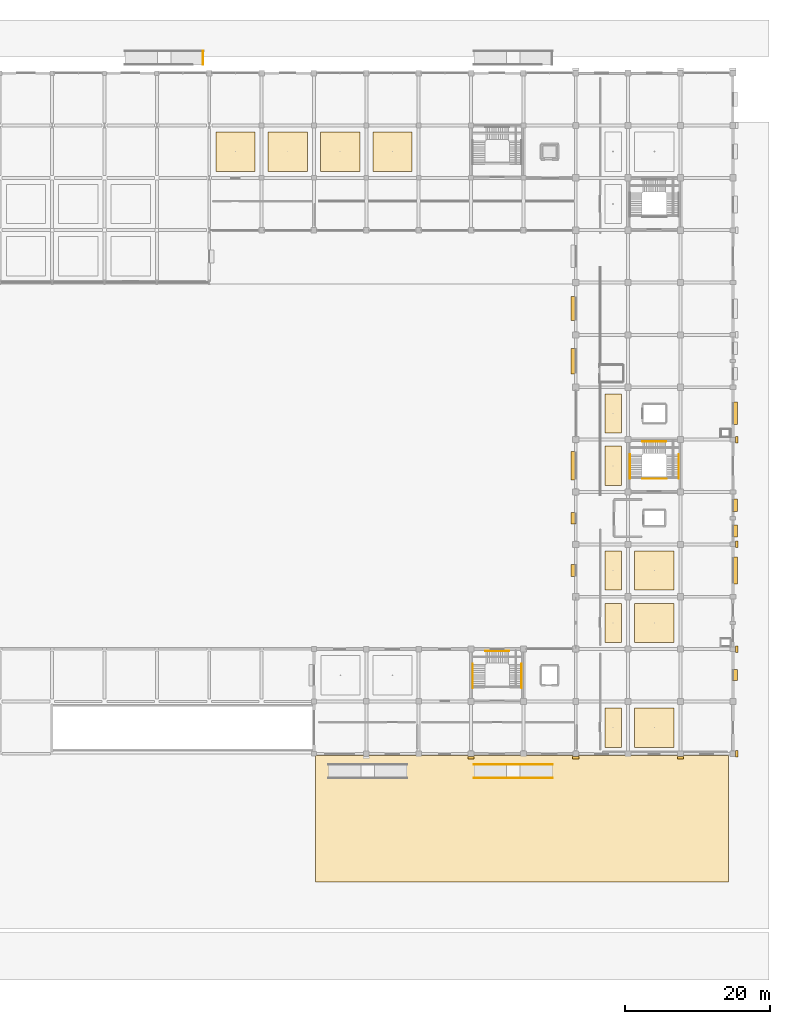
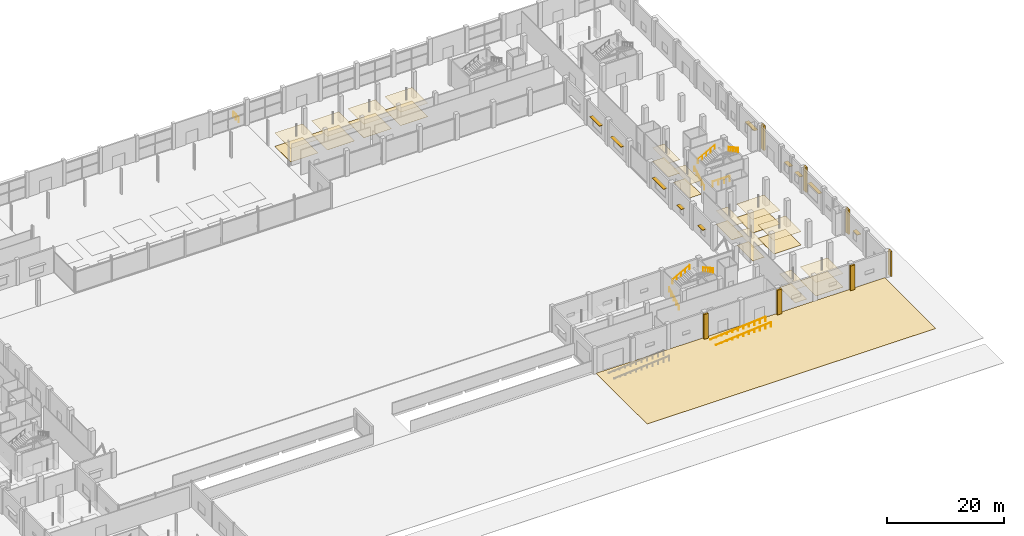
# One storey, part 88 of 90: 32 coverings, 10 railings, 10 shading devices.
"""IFC4 building model written with IfcOpenShell, lengths in metres."""

from ifc_helpers import new_model, si_unit, direction, frame, origin, origin_2d, place, context, subcontext, project, spatial, polyline, rectangle, circle, outline, extrude, material, layer, layer_set, type_object, element, save


model = new_model("IFC4")

# Units and contexts
model_context = context("Model", 3, precision=1e-05, world=origin(), true_north=direction((0.0, 1.0)))
body_context = subcontext(model_context, "Body", "Model", "MODEL_VIEW")
ifc_project = project(units=[si_unit("LENGTHUNIT", "METRE"), si_unit("AREAUNIT", "SQUARE_METRE"), si_unit("VOLUMEUNIT", "CUBIC_METRE"), si_unit("PLANEANGLEUNIT", "RADIAN"), si_unit("MASSUNIT", "GRAM", prefix="KILO")], contexts=[model_context])

# Site, building, storey
site_placement = place(None, origin())
site = spatial("IfcSite", under=ifc_project, at=site_placement, CompositionType="ELEMENT")
building_placement = place(site_placement, origin())
building = spatial("IfcBuilding", under=site, at=building_placement, Name="Kangsadwip Square Police Headquarters", CompositionType="ELEMENT")
storey_placement = place(building_placement, origin())
storey = spatial("IfcBuildingStorey", under=building, at=storey_placement, Name="L00", CompositionType="ELEMENT", Elevation=0.0)

# Railings
ifc_material_1 = material(Name="Structural steel IS 2062 E250 (Grade 250, 250 MPa)", Category="steel")
railing_type_1 = type_object("IfcRailingType", Name="BalustradeGuard1100", PredefinedType="BALUSTRADE", material=ifc_material_1)
railing_1_placement = place(storey_placement, frame((92.739990234375, 116.360107421875, 0.0)))
element("IfcRailing", 1, at=railing_1_placement, inside=storey, type_object=railing_type_1, Name="Accessible Ramp End Guard AR-02-34", PredefinedType="BALUSTRADE", context=body_context, shape_type="SweptSolid", body=[
    extrude(circle(Radius=0.02392578125, at=origin_2d()), frame((0.0, 0.0, 1.09619140625), z_axis=(0.0, 1.0, 0.0), x_axis=(-1.0, 0.0, 0.0)), (0.0, 0.0, 1.0), 1.8798828125),
    extrude(circle(Radius=0.02099609375, at=origin_2d()), origin(), (0.0, 0.0, 1.0), 1.072021484375),
    extrude(circle(Radius=0.02099609375, at=origin_2d()), frame((0.0, 0.93994140625, 0.0)), (0.0, 0.0, 1.0), 1.072021484375),
    extrude(circle(Radius=0.02099609375, at=origin_2d()), frame((0.0, 1.8798828125, 0.0)), (0.0, 0.0, 1.0), 1.072021484375),
])
for number, where, name in (
    (2, (130.0, 18.260009765625, -0.89990234375), "Accessible Ramp Guard AR-04-40"),
    (3, (130.0, 20.139892578125, -0.89990234375), "Accessible Ramp Guard AR-04-41"),
):
    element("IfcRailing", number, at=place(storey_placement, frame(where)), inside=storey, type_object=railing_type_1, Name=name, PredefinedType="BALUSTRADE", context=body_context, shape_type="SweptSolid", body=[
        extrude(circle(Radius=0.02392578125, at=origin_2d()), frame((0.0, 0.0, 1.09619140625), z_axis=(0.99654653501, 0.0, 0.083036158149), x_axis=(0.0, 1.0, 0.0)), (0.0, 0.0, 1.0), 10.83740234375),
        extrude(circle(Radius=0.02099609375, at=origin_2d()), origin(), (0.0, 0.0, 1.0), 1.072021484375),
        extrude(circle(Radius=0.02099609375, at=origin_2d()), frame((1.080078125, 0.0, 0.090087890625)), (0.0, 0.0, 1.0), 1.072021484375),
        extrude(circle(Radius=0.02099609375, at=origin_2d()), frame((2.159912109375, 0.0, 0.179931640625)), (0.0, 0.0, 1.0), 1.072021484375),
        extrude(circle(Radius=0.02099609375, at=origin_2d()), frame((3.239990234375, 0.0, 0.27001953125)), (0.0, 0.0, 1.0), 1.072021484375),
        extrude(circle(Radius=0.02099609375, at=origin_2d()), frame((4.320068359375, 0.0, 0.35986328125)), (0.0, 0.0, 1.0), 1.072021484375),
        extrude(circle(Radius=0.02099609375, at=origin_2d()), frame((5.39990234375, 0.0, 0.449951171875)), (0.0, 0.0, 1.0), 1.072021484375),
        extrude(circle(Radius=0.02099609375, at=origin_2d()), frame((6.47998046875, 0.0, 0.5400390625)), (0.0, 0.0, 1.0), 1.072021484375),
        extrude(circle(Radius=0.02099609375, at=origin_2d()), frame((7.56005859375, 0.0, 0.6298828125)), (0.0, 0.0, 1.0), 1.072021484375),
        extrude(circle(Radius=0.02099609375, at=origin_2d()), frame((8.64013671875, 0.0, 0.719970703125)), (0.0, 0.0, 1.0), 1.072021484375),
        extrude(circle(Radius=0.02099609375, at=origin_2d()), frame((9.719970703125, 0.0, 0.809814453125)), (0.0, 0.0, 1.0), 1.072021484375),
        extrude(circle(Radius=0.02099609375, at=origin_2d()), frame((10.800048828125, 0.0, 0.89990234375)), (0.0, 0.0, 1.0), 1.072021484375),
    ])
railing_2_placement = place(storey_placement, frame((153.1298828125, 59.419921875, 0.0)))
element("IfcRailing", 4, at=railing_2_placement, inside=storey, type_object=railing_type_1, Name="Stair Guard ST-03 L00-74", PredefinedType="BALUSTRADE", context=body_context, shape_type="SweptSolid", body=[
    extrude(circle(Radius=0.02392578125, at=origin_2d()), frame((0.0, 0.0, 1.09619140625), z_axis=(1.0, 0.0, 0.0), x_axis=(0.0, 1.0, 0.0)), (0.0, 0.0, 1.0), 3.340087890625),
    extrude(circle(Radius=0.02099609375, at=origin_2d()), origin(), (0.0, 0.0, 1.0), 1.072021484375),
    extrude(circle(Radius=0.02099609375, at=origin_2d()), frame((1.11328125, 0.0, 0.0)), (0.0, 0.0, 1.0), 1.072021484375),
    extrude(circle(Radius=0.02099609375, at=origin_2d()), frame((2.226806640625, 0.0, 0.0)), (0.0, 0.0, 1.0), 1.072021484375),
    extrude(circle(Radius=0.02099609375, at=origin_2d()), frame((3.340087890625, 0.0, 0.0)), (0.0, 0.0, 1.0), 1.072021484375),
])

# Coverings
ifc_material_2 = material(Name="Flamed Indian granite stone exterior paving", Category="masonry")
ifc_layer_1 = layer(ifc_material_2, 0.080078125)
ifc_layer_set_1 = layer_set([ifc_layer_1], Name="Flamed Indian granite stone exterior paving")
covering_type_1 = type_object("IfcCoveringType", Name="GranitePrecinctPaving", PredefinedType="USERDEFINED", material=ifc_layer_set_1)
covering_1_placement = place(storey_placement, frame((0.0, 0.0, -0.080078125)))
element("IfcCovering", 5, at=covering_1_placement, inside=storey, type_object=covering_type_1, Name="Walled Custody Exercise and Sallyport Apron Yard", ObjectType="PAVING", PredefinedType="USERDEFINED", context=body_context, shape_type="SweptSolid", body=[
    extrude(outline(polyline([(108.199951171875, 4.0), (165.0, 4.0), (165.0, 21.39990234375), (108.199951171875, 21.39990234375), (108.199951171875, 4.0)])), origin(), (0.0, 0.0, 1.0), 0.080078125),
])
ifc_material_3 = material(Name="Seamless anti-static epoxy and polished Kota stone interior flooring", Category="masonry")
ifc_layer_2 = layer(ifc_material_3, 0.02001953125)
ifc_layer_set_2 = layer_set([ifc_layer_2], Name="Seamless anti-static epoxy and polished Kota stone interior flooring")
covering_type_2 = type_object("IfcCoveringType", Name="InteriorStoneEpoxyFloor", PredefinedType="FLOORING", material=ifc_layer_set_2)
covering_2_placement = place(storey_placement, origin())
element("IfcCovering", 6, at=covering_2_placement, inside=storey, type_object=covering_type_2, Name="Interior Floor Finish L00-017", PredefinedType="FLOORING", context=body_context, shape_type="SweptSolid", body=[
    extrude(outline(polyline([(94.5, 101.699951171875), (99.89990234375, 101.699951171875), (99.89990234375, 107.10009765625), (94.5, 107.10009765625), (94.5, 101.699951171875)])), origin(), (0.0, 0.0, 1.0), 0.02001953125),
])
covering_3_placement = place(storey_placement, origin())
element("IfcCovering", 7, at=covering_3_placement, inside=storey, type_object=covering_type_2, Name="Interior Floor Finish L00-018", PredefinedType="FLOORING", context=body_context, shape_type="SweptSolid", body=[
    extrude(outline(polyline([(101.699951171875, 101.699951171875), (107.10009765625, 101.699951171875), (107.10009765625, 107.10009765625), (101.699951171875, 107.10009765625), (101.699951171875, 101.699951171875)])), origin(), (0.0, 0.0, 1.0), 0.02001953125),
])
covering_4_placement = place(storey_placement, origin())
element("IfcCovering", 8, at=covering_4_placement, inside=storey, type_object=covering_type_2, Name="Interior Floor Finish L00-019", PredefinedType="FLOORING", context=body_context, shape_type="SweptSolid", body=[
    extrude(outline(polyline([(108.89990234375, 101.699951171875), (114.300048828125, 101.699951171875), (114.300048828125, 107.10009765625), (108.89990234375, 107.10009765625), (108.89990234375, 101.699951171875)])), origin(), (0.0, 0.0, 1.0), 0.02001953125),
])
covering_5_placement = place(storey_placement, origin())
element("IfcCovering", 9, at=covering_5_placement, inside=storey, type_object=covering_type_2, Name="Interior Floor Finish L00-020", PredefinedType="FLOORING", context=body_context, shape_type="SweptSolid", body=[
    extrude(outline(polyline([(116.10009765625, 101.699951171875), (121.5, 101.699951171875), (121.5, 107.10009765625), (116.10009765625, 107.10009765625), (116.10009765625, 101.699951171875)])), origin(), (0.0, 0.0, 1.0), 0.02001953125),
])
covering_6_placement = place(storey_placement, origin())
element("IfcCovering", 10, at=covering_6_placement, inside=storey, type_object=covering_type_2, Name="Interior Floor Finish L00-030", PredefinedType="FLOORING", context=body_context, shape_type="SweptSolid", body=[
    extrude(outline(polyline([(148.0, 36.89990234375), (150.300048828125, 36.89990234375), (150.300048828125, 42.300048828125), (148.0, 42.300048828125), (148.0, 36.89990234375)])), origin(), (0.0, 0.0, 1.0), 0.02001953125),
])
covering_7_placement = place(storey_placement, origin())
element("IfcCovering", 11, at=covering_7_placement, inside=storey, type_object=covering_type_2, Name="Interior Floor Finish L00-031", PredefinedType="FLOORING", context=body_context, shape_type="SweptSolid", body=[
    extrude(outline(polyline([(152.10009765625, 36.89990234375), (157.5, 36.89990234375), (157.5, 42.300048828125), (152.10009765625, 42.300048828125), (152.10009765625, 36.89990234375)])), origin(), (0.0, 0.0, 1.0), 0.02001953125),
])
covering_8_placement = place(storey_placement, origin())
element("IfcCovering", 12, at=covering_8_placement, inside=storey, type_object=covering_type_2, Name="Interior Floor Finish L00-032", PredefinedType="FLOORING", context=body_context, shape_type="SweptSolid", body=[
    extrude(outline(polyline([(148.0, 44.10009765625), (150.300048828125, 44.10009765625), (150.300048828125, 49.5), (148.0, 49.5), (148.0, 44.10009765625)])), origin(), (0.0, 0.0, 1.0), 0.02001953125),
])
covering_9_placement = place(storey_placement, origin())
element("IfcCovering", 13, at=covering_9_placement, inside=storey, type_object=covering_type_2, Name="Interior Floor Finish L00-033", PredefinedType="FLOORING", context=body_context, shape_type="SweptSolid", body=[
    extrude(outline(polyline([(152.10009765625, 44.10009765625), (157.5, 44.10009765625), (157.5, 49.5), (152.10009765625, 49.5), (152.10009765625, 44.10009765625)])), origin(), (0.0, 0.0, 1.0), 0.02001953125),
])
covering_10_placement = place(storey_placement, origin())
element("IfcCovering", 14, at=covering_10_placement, inside=storey, type_object=covering_type_2, Name="Interior Floor Finish L00-034", PredefinedType="FLOORING", context=body_context, shape_type="SweptSolid", body=[
    extrude(outline(polyline([(148.0, 58.5), (150.300048828125, 58.5), (150.300048828125, 63.89990234375), (148.0, 63.89990234375), (148.0, 58.5)])), origin(), (0.0, 0.0, 1.0), 0.02001953125),
])
covering_11_placement = place(storey_placement, origin())
element("IfcCovering", 15, at=covering_11_placement, inside=storey, type_object=covering_type_2, Name="Interior Floor Finish L00-035", PredefinedType="FLOORING", context=body_context, shape_type="SweptSolid", body=[
    extrude(outline(polyline([(148.0, 65.699951171875), (150.300048828125, 65.699951171875), (150.300048828125, 71.10009765625), (148.0, 71.10009765625), (148.0, 65.699951171875)])), origin(), (0.0, 0.0, 1.0), 0.02001953125),
])
covering_12_placement = place(storey_placement, origin())
element("IfcCovering", 16, at=covering_12_placement, inside=storey, type_object=covering_type_2, Name="Interior Floor Finish L00-045", PredefinedType="FLOORING", context=body_context, shape_type="SweptSolid", body=[
    extrude(outline(polyline([(148.0, 22.5), (150.300048828125, 22.5), (150.300048828125, 27.89990234375), (148.0, 27.89990234375), (148.0, 22.5)])), origin(), (0.0, 0.0, 1.0), 0.02001953125),
])
covering_13_placement = place(storey_placement, origin())
element("IfcCovering", 17, at=covering_13_placement, inside=storey, type_object=covering_type_2, Name="Interior Floor Finish L00-046", PredefinedType="FLOORING", context=body_context, shape_type="SweptSolid", body=[
    extrude(outline(polyline([(152.10009765625, 22.5), (157.5, 22.5), (157.5, 27.89990234375), (152.10009765625, 27.89990234375), (152.10009765625, 22.5)])), origin(), (0.0, 0.0, 1.0), 0.02001953125),
])

# Railings
ifc_material_4 = material(Name="Structural steel IS 2062 E250 (Grade 250, 250 MPa)", Category="steel")
railing_type_2 = type_object("IfcRailingType", Name="StairPitchHandrail900", PredefinedType="HANDRAIL", material=ifc_material_4)
railing_3_placement = place(storey_placement, frame((151.43994140625, 59.4599609375, 0.0)))
element("IfcRailing", 18, at=railing_3_placement, inside=storey, type_object=railing_type_2, Name="Stair Handrail ST-03 L00-75", PredefinedType="HANDRAIL", context=body_context, shape_type="SweptSolid", body=[
    extrude(circle(Radius=0.02392578125, at=origin_2d()), frame((0.0, 0.0, 0.8759765625), z_axis=(0.0, 0.877893090839, 0.478856681124), x_axis=(-1.0, 0.0, 0.0)), (0.0, 0.0, 1.0), 3.759033203125),
    extrude(circle(Radius=0.02099609375, at=origin_2d()), origin(), (0.0, 0.0, 1.0), 0.851806640625),
    extrude(circle(Radius=0.02099609375, at=origin_2d()), frame((0.0, 0.824951171875, 0.449951171875)), (0.0, 0.0, 1.0), 0.851806640625),
    extrude(circle(Radius=0.02099609375, at=origin_2d()), frame((0.0, 1.64990234375, 0.89990234375)), (0.0, 0.0, 1.0), 0.851806640625),
    extrude(circle(Radius=0.02099609375, at=origin_2d()), frame((0.0, 2.47509765625, 1.35009765625)), (0.0, 0.0, 1.0), 0.851806640625),
    extrude(circle(Radius=0.02099609375, at=origin_2d()), frame((0.0, 3.300048828125, 1.800048828125)), (0.0, 0.0, 1.0), 0.851806640625),
])
railing_4_placement = place(storey_placement, frame((153.14990234375, 64.56005859375, 1.800048828125)))
element("IfcRailing", 19, at=railing_4_placement, inside=storey, type_object=railing_type_2, Name="Stair Handrail ST-03 L00-76", PredefinedType="HANDRAIL", context=body_context, shape_type="SweptSolid", body=[
    extrude(circle(Radius=0.02392578125, at=origin_2d()), frame((0.0, 0.0, 0.8759765625), z_axis=(0.877893090839, 0.0, 0.478856681124), x_axis=(0.0, 1.0, 0.0)), (0.0, 0.0, 1.0), 3.759033203125),
    extrude(circle(Radius=0.02099609375, at=origin_2d()), origin(), (0.0, 0.0, 1.0), 0.851806640625),
    extrude(circle(Radius=0.02099609375, at=origin_2d()), frame((0.824951171875, 0.0, 0.449951171875)), (0.0, 0.0, 1.0), 0.851806640625),
    extrude(circle(Radius=0.02099609375, at=origin_2d()), frame((1.64990234375, 0.0, 0.89990234375)), (0.0, 0.0, 1.0), 0.851806640625),
    extrude(circle(Radius=0.02099609375, at=origin_2d()), frame((2.47509765625, 0.0, 1.35009765625)), (0.0, 0.0, 1.0), 0.851806640625),
    extrude(circle(Radius=0.02099609375, at=origin_2d()), frame((3.300048828125, 0.0, 1.800048828125)), (0.0, 0.0, 1.0), 0.851806640625),
])
railing_5_placement = place(storey_placement, frame((158.159912109375, 62.760009765625, 3.60009765625)))
element("IfcRailing", 20, at=railing_5_placement, inside=storey, type_object=railing_type_2, Name="Stair Handrail ST-03 L00-77", PredefinedType="HANDRAIL", context=body_context, shape_type="SweptSolid", body=[
    extrude(circle(Radius=0.02392578125, at=origin_2d()), frame((0.0, 0.0, 0.8759765625), z_axis=(0.0, -0.877920393143, 0.478806624122), x_axis=(1.0, 0.0, 0.0)), (0.0, 0.0, 1.0), 3.759033203125),
    extrude(circle(Radius=0.02099609375, at=origin_2d()), origin(), (0.0, 0.0, 1.0), 0.851806640625),
    extrude(circle(Radius=0.02099609375, at=origin_2d()), frame((0.0, -0.824951171875, 0.449951171875)), (0.0, 0.0, 1.0), 0.851806640625),
    extrude(circle(Radius=0.02099609375, at=origin_2d()), frame((0.0, -1.64990234375, 0.89990234375)), (0.0, 0.0, 1.0), 0.851806640625),
    extrude(circle(Radius=0.02099609375, at=origin_2d()), frame((0.0, -2.47509765625, 1.349853515625)), (0.0, 0.0, 1.0), 0.851806640625),
    extrude(circle(Radius=0.02099609375, at=origin_2d()), frame((0.0, -3.300048828125, 1.7998046875)), (0.0, 0.0, 1.0), 0.851806640625),
])
railing_6_placement = place(storey_placement, frame((129.840087890625, 30.659912109375, 0.0)))
element("IfcRailing", 21, at=railing_6_placement, inside=storey, type_object=railing_type_2, Name="Stair Handrail ST-06 L00-143", PredefinedType="HANDRAIL", context=body_context, shape_type="SweptSolid", body=[
    extrude(circle(Radius=0.02392578125, at=origin_2d()), frame((0.0, 0.0, 0.8759765625), z_axis=(0.0, 0.877893090839, 0.478856681124), x_axis=(-1.0, 0.0, 0.0)), (0.0, 0.0, 1.0), 3.759033203125),
    extrude(circle(Radius=0.02099609375, at=origin_2d()), origin(), (0.0, 0.0, 1.0), 0.851806640625),
    extrude(circle(Radius=0.02099609375, at=origin_2d()), frame((0.0, 0.824951171875, 0.449951171875)), (0.0, 0.0, 1.0), 0.851806640625),
    extrude(circle(Radius=0.02099609375, at=origin_2d()), frame((0.0, 1.64990234375, 0.89990234375)), (0.0, 0.0, 1.0), 0.851806640625),
    extrude(circle(Radius=0.02099609375, at=origin_2d()), frame((0.0, 2.47509765625, 1.35009765625)), (0.0, 0.0, 1.0), 0.851806640625),
    extrude(circle(Radius=0.02099609375, at=origin_2d()), frame((0.0, 3.300048828125, 1.800048828125)), (0.0, 0.0, 1.0), 0.851806640625),
])
railing_7_placement = place(storey_placement, frame((131.550048828125, 35.760009765625, 1.800048828125)))
element("IfcRailing", 22, at=railing_7_placement, inside=storey, type_object=railing_type_2, Name="Stair Handrail ST-06 L00-144", PredefinedType="HANDRAIL", context=body_context, shape_type="SweptSolid", body=[
    extrude(circle(Radius=0.02392578125, at=origin_2d()), frame((0.0, 0.0, 0.8759765625), z_axis=(0.877893090839, 0.0, 0.478856681124), x_axis=(0.0, 1.0, 0.0)), (0.0, 0.0, 1.0), 3.759033203125),
    extrude(circle(Radius=0.02099609375, at=origin_2d()), origin(), (0.0, 0.0, 1.0), 0.851806640625),
    extrude(circle(Radius=0.02099609375, at=origin_2d()), frame((0.824951171875, 0.0, 0.449951171875)), (0.0, 0.0, 1.0), 0.851806640625),
    extrude(circle(Radius=0.02099609375, at=origin_2d()), frame((1.64990234375, 0.0, 0.89990234375)), (0.0, 0.0, 1.0), 0.851806640625),
    extrude(circle(Radius=0.02099609375, at=origin_2d()), frame((2.47509765625, 0.0, 1.35009765625)), (0.0, 0.0, 1.0), 0.851806640625),
    extrude(circle(Radius=0.02099609375, at=origin_2d()), frame((3.300048828125, 0.0, 1.800048828125)), (0.0, 0.0, 1.0), 0.851806640625),
])
railing_8_placement = place(storey_placement, frame((136.56005859375, 33.9599609375, 3.60009765625)))
element("IfcRailing", 23, at=railing_8_placement, inside=storey, type_object=railing_type_2, Name="Stair Handrail ST-06 L00-145", PredefinedType="HANDRAIL", context=body_context, shape_type="SweptSolid", body=[
    extrude(circle(Radius=0.02392578125, at=origin_2d()), frame((0.0, 0.0, 0.8759765625), z_axis=(0.0, -0.877920393143, 0.478806624122), x_axis=(1.0, 0.0, 0.0)), (0.0, 0.0, 1.0), 3.759033203125),
    extrude(circle(Radius=0.02099609375, at=origin_2d()), origin(), (0.0, 0.0, 1.0), 0.851806640625),
    extrude(circle(Radius=0.02099609375, at=origin_2d()), frame((0.0, -0.824951171875, 0.449951171875)), (0.0, 0.0, 1.0), 0.851806640625),
    extrude(circle(Radius=0.02099609375, at=origin_2d()), frame((0.0, -1.64990234375, 0.89990234375)), (0.0, 0.0, 1.0), 0.851806640625),
    extrude(circle(Radius=0.02099609375, at=origin_2d()), frame((0.0, -2.47509765625, 1.349853515625)), (0.0, 0.0, 1.0), 0.851806640625),
    extrude(circle(Radius=0.02099609375, at=origin_2d()), frame((0.0, -3.300048828125, 1.7998046875)), (0.0, 0.0, 1.0), 0.851806640625),
])

# Coverings
ifc_material_5 = material(Name="Perforated mineral-fibre and acoustic baffle suspended ceiling", Category="wood")
ifc_layer_3 = layer(ifc_material_5, 0.02490234375)
ifc_layer_set_3 = layer_set([ifc_layer_3], Name="Perforated mineral-fibre and acoustic baffle suspended ceiling")
covering_type_3 = type_object("IfcCoveringType", Name="SuspendedAcousticCeiling", PredefinedType="CEILING", material=ifc_layer_set_3)
covering_14_placement = place(storey_placement, frame((0.0, 0.0, 2.800048828125)))
element("IfcCovering", 24, at=covering_14_placement, inside=storey, type_object=covering_type_3, Name="Suspended Acoustic Ceiling L00-017", PredefinedType="CEILING", context=body_context, shape_type="SweptSolid", body=[
    extrude(outline(polyline([(94.5, 101.699951171875), (99.89990234375, 101.699951171875), (99.89990234375, 107.10009765625), (94.5, 107.10009765625), (94.5, 101.699951171875)])), origin(), (0.0, 0.0, 1.0), 0.02490234375),
])
covering_15_placement = place(storey_placement, frame((0.0, 0.0, 2.800048828125)))
element("IfcCovering", 25, at=covering_15_placement, inside=storey, type_object=covering_type_3, Name="Suspended Acoustic Ceiling L00-018", PredefinedType="CEILING", context=body_context, shape_type="SweptSolid", body=[
    extrude(outline(polyline([(101.699951171875, 101.699951171875), (107.10009765625, 101.699951171875), (107.10009765625, 107.10009765625), (101.699951171875, 107.10009765625), (101.699951171875, 101.699951171875)])), origin(), (0.0, 0.0, 1.0), 0.02490234375),
])
covering_16_placement = place(storey_placement, frame((0.0, 0.0, 2.800048828125)))
element("IfcCovering", 26, at=covering_16_placement, inside=storey, type_object=covering_type_3, Name="Suspended Acoustic Ceiling L00-019", PredefinedType="CEILING", context=body_context, shape_type="SweptSolid", body=[
    extrude(outline(polyline([(108.89990234375, 101.699951171875), (114.300048828125, 101.699951171875), (114.300048828125, 107.10009765625), (108.89990234375, 107.10009765625), (108.89990234375, 101.699951171875)])), origin(), (0.0, 0.0, 1.0), 0.02490234375),
])
covering_17_placement = place(storey_placement, frame((0.0, 0.0, 2.800048828125)))
element("IfcCovering", 27, at=covering_17_placement, inside=storey, type_object=covering_type_3, Name="Suspended Acoustic Ceiling L00-020", PredefinedType="CEILING", context=body_context, shape_type="SweptSolid", body=[
    extrude(outline(polyline([(116.10009765625, 101.699951171875), (121.5, 101.699951171875), (121.5, 107.10009765625), (116.10009765625, 107.10009765625), (116.10009765625, 101.699951171875)])), origin(), (0.0, 0.0, 1.0), 0.02490234375),
])
covering_18_placement = place(storey_placement, frame((0.0, 0.0, 2.800048828125)))
element("IfcCovering", 28, at=covering_18_placement, inside=storey, type_object=covering_type_3, Name="Suspended Acoustic Ceiling L00-030", PredefinedType="CEILING", context=body_context, shape_type="SweptSolid", body=[
    extrude(outline(polyline([(148.0, 36.89990234375), (150.300048828125, 36.89990234375), (150.300048828125, 42.300048828125), (148.0, 42.300048828125), (148.0, 36.89990234375)])), origin(), (0.0, 0.0, 1.0), 0.02490234375),
])
covering_19_placement = place(storey_placement, frame((0.0, 0.0, 2.800048828125)))
element("IfcCovering", 29, at=covering_19_placement, inside=storey, type_object=covering_type_3, Name="Suspended Acoustic Ceiling L00-031", PredefinedType="CEILING", context=body_context, shape_type="SweptSolid", body=[
    extrude(outline(polyline([(152.10009765625, 36.89990234375), (157.5, 36.89990234375), (157.5, 42.300048828125), (152.10009765625, 42.300048828125), (152.10009765625, 36.89990234375)])), origin(), (0.0, 0.0, 1.0), 0.02490234375),
])
covering_20_placement = place(storey_placement, frame((0.0, 0.0, 2.800048828125)))
element("IfcCovering", 30, at=covering_20_placement, inside=storey, type_object=covering_type_3, Name="Suspended Acoustic Ceiling L00-032", PredefinedType="CEILING", context=body_context, shape_type="SweptSolid", body=[
    extrude(outline(polyline([(148.0, 44.10009765625), (150.300048828125, 44.10009765625), (150.300048828125, 49.5), (148.0, 49.5), (148.0, 44.10009765625)])), origin(), (0.0, 0.0, 1.0), 0.02490234375),
])
covering_21_placement = place(storey_placement, frame((0.0, 0.0, 2.800048828125)))
element("IfcCovering", 31, at=covering_21_placement, inside=storey, type_object=covering_type_3, Name="Suspended Acoustic Ceiling L00-033", PredefinedType="CEILING", context=body_context, shape_type="SweptSolid", body=[
    extrude(outline(polyline([(152.10009765625, 44.10009765625), (157.5, 44.10009765625), (157.5, 49.5), (152.10009765625, 49.5), (152.10009765625, 44.10009765625)])), origin(), (0.0, 0.0, 1.0), 0.02490234375),
])
covering_22_placement = place(storey_placement, frame((0.0, 0.0, 2.800048828125)))
element("IfcCovering", 32, at=covering_22_placement, inside=storey, type_object=covering_type_3, Name="Suspended Acoustic Ceiling L00-034", PredefinedType="CEILING", context=body_context, shape_type="SweptSolid", body=[
    extrude(outline(polyline([(148.0, 58.5), (150.300048828125, 58.5), (150.300048828125, 63.89990234375), (148.0, 63.89990234375), (148.0, 58.5)])), origin(), (0.0, 0.0, 1.0), 0.02490234375),
])
covering_23_placement = place(storey_placement, frame((0.0, 0.0, 2.800048828125)))
element("IfcCovering", 33, at=covering_23_placement, inside=storey, type_object=covering_type_3, Name="Suspended Acoustic Ceiling L00-035", PredefinedType="CEILING", context=body_context, shape_type="SweptSolid", body=[
    extrude(outline(polyline([(148.0, 65.699951171875), (150.300048828125, 65.699951171875), (150.300048828125, 71.10009765625), (148.0, 71.10009765625), (148.0, 65.699951171875)])), origin(), (0.0, 0.0, 1.0), 0.02490234375),
])
covering_24_placement = place(storey_placement, frame((0.0, 0.0, 2.800048828125)))
element("IfcCovering", 34, at=covering_24_placement, inside=storey, type_object=covering_type_3, Name="Suspended Acoustic Ceiling L00-045", PredefinedType="CEILING", context=body_context, shape_type="SweptSolid", body=[
    extrude(outline(polyline([(148.0, 22.5), (150.300048828125, 22.5), (150.300048828125, 27.89990234375), (148.0, 27.89990234375), (148.0, 22.5)])), origin(), (0.0, 0.0, 1.0), 0.02490234375),
])
covering_25_placement = place(storey_placement, frame((0.0, 0.0, 2.800048828125)))
element("IfcCovering", 35, at=covering_25_placement, inside=storey, type_object=covering_type_3, Name="Suspended Acoustic Ceiling L00-046", PredefinedType="CEILING", context=body_context, shape_type="SweptSolid", body=[
    extrude(outline(polyline([(152.10009765625, 22.5), (157.5, 22.5), (157.5, 27.89990234375), (152.10009765625, 27.89990234375), (152.10009765625, 22.5)])), origin(), (0.0, 0.0, 1.0), 0.02490234375),
])
ifc_material_6 = material(Name="Glazed architectural terracotta masonry rainscreen", Category="masonry")
ifc_layer_4 = layer(ifc_material_6, 0.034912109375)
ifc_layer_set_4 = layer_set([ifc_layer_4], Name="Glazed architectural terracotta masonry rainscreen")
covering_type_4 = type_object("IfcCoveringType", Name="TerracottaPierCladding", PredefinedType="CLADDING", material=ifc_layer_set_4)
covering_26_placement = place(storey_placement, origin())
element("IfcCovering", 36, at=covering_26_placement, inside=storey, type_object=covering_type_4, Name="Terracotta Pier Cladding L00-010", PredefinedType="CLADDING", context=body_context, shape_type="SweptSolid", body=[
    extrude(outline(polyline([(165.97998046875, 21.159912109375), (166.300048828125, 21.159912109375), (166.300048828125, 22.0400390625), (165.97998046875, 22.0400390625), (165.97998046875, 21.159912109375)])), origin(), (0.0, 0.0, 1.0), 5.14990234375),
])
covering_27_placement = place(storey_placement, origin())
element("IfcCovering", 37, at=covering_27_placement, inside=storey, type_object=covering_type_4, Name="Terracotta Pier Cladding L00-011", PredefinedType="CLADDING", context=body_context, shape_type="SweptSolid", body=[
    extrude(outline(polyline([(165.97998046875, 35.56005859375), (166.300048828125, 35.56005859375), (166.300048828125, 36.43994140625), (165.97998046875, 36.43994140625), (165.97998046875, 35.56005859375)])), origin(), (0.0, 0.0, 1.0), 5.14990234375),
])
covering_28_placement = place(storey_placement, origin())
element("IfcCovering", 38, at=covering_28_placement, inside=storey, type_object=covering_type_4, Name="Terracotta Pier Cladding L00-012", PredefinedType="CLADDING", context=body_context, shape_type="SweptSolid", body=[
    extrude(outline(polyline([(165.97998046875, 49.9599609375), (166.300048828125, 49.9599609375), (166.300048828125, 50.840087890625), (165.97998046875, 50.840087890625), (165.97998046875, 49.9599609375)])), origin(), (0.0, 0.0, 1.0), 5.14990234375),
])
covering_29_placement = place(storey_placement, origin())
element("IfcCovering", 39, at=covering_29_placement, inside=storey, type_object=covering_type_4, Name="Terracotta Pier Cladding L00-013", PredefinedType="CLADDING", context=body_context, shape_type="SweptSolid", body=[
    extrude(outline(polyline([(165.97998046875, 64.360107421875), (166.300048828125, 64.360107421875), (166.300048828125, 65.239990234375), (165.97998046875, 65.239990234375), (165.97998046875, 64.360107421875)])), origin(), (0.0, 0.0, 1.0), 5.14990234375),
])
covering_30_placement = place(storey_placement, origin())
element("IfcCovering", 40, at=covering_30_placement, inside=storey, type_object=covering_type_4, Name="Terracotta Pier Cladding L00-024", PredefinedType="CLADDING", context=body_context, shape_type="SweptSolid", body=[
    extrude(outline(polyline([(129.159912109375, 20.89990234375), (130.0400390625, 20.89990234375), (130.0400390625, 21.219970703125), (129.159912109375, 21.219970703125), (129.159912109375, 20.89990234375)])), origin(), (0.0, 0.0, 1.0), 5.14990234375),
])
covering_31_placement = place(storey_placement, origin())
element("IfcCovering", 41, at=covering_31_placement, inside=storey, type_object=covering_type_4, Name="Terracotta Pier Cladding L00-025", PredefinedType="CLADDING", context=body_context, shape_type="SweptSolid", body=[
    extrude(outline(polyline([(143.56005859375, 20.89990234375), (144.43994140625, 20.89990234375), (144.43994140625, 21.219970703125), (143.56005859375, 21.219970703125), (143.56005859375, 20.89990234375)])), origin(), (0.0, 0.0, 1.0), 5.14990234375),
])
covering_32_placement = place(storey_placement, origin())
element("IfcCovering", 42, at=covering_32_placement, inside=storey, type_object=covering_type_4, Name="Terracotta Pier Cladding L00-026", PredefinedType="CLADDING", context=body_context, shape_type="SweptSolid", body=[
    extrude(outline(polyline([(157.9599609375, 20.89990234375), (158.840087890625, 20.89990234375), (158.840087890625, 21.219970703125), (157.9599609375, 21.219970703125), (157.9599609375, 20.89990234375)])), origin(), (0.0, 0.0, 1.0), 5.14990234375),
])

# Shading devices
ifc_material_7 = material(Name="Architectural terracotta and anodised aluminium AW-6061-T6", Category="aluminium")
shading_device_type = type_object("IfcShadingDeviceType", Name="TerracottaChhajjaAwning", PredefinedType="AWNING", material=ifc_material_7)
shading_device_1_placement = place(storey_placement, frame((143.699951171875, 46.800048828125, 2.46484375), z_axis=(0.0, 0.0, 1.0), x_axis=(0.0, 1.0, 0.0)))
element("IfcShadingDevice", 43, at=shading_device_1_placement, inside=storey, type_object=shading_device_type, Name="Terracotta Chhajja Hood CHJ-L00-0032", PredefinedType="AWNING", context=body_context, shape_type="SweptSolid", body=[
    extrude(rectangle(XDim=1.699951171875, YDim=0.719970703125, at=origin_2d()), origin(), (0.0, 0.0, 1.0), 0.090087890625),
])
shading_device_2_placement = place(storey_placement, frame((143.699951171875, 54.0, 2.36474609375), z_axis=(0.0, 0.0, 1.0), x_axis=(0.0, 1.0, 0.0)))
element("IfcShadingDevice", 44, at=shading_device_2_placement, inside=storey, type_object=shading_device_type, Name="Terracotta Chhajja Hood CHJ-L00-0033", PredefinedType="AWNING", context=body_context, shape_type="SweptSolid", body=[
    extrude(rectangle(XDim=1.550048828125, YDim=0.719970703125, at=origin_2d()), origin(), (0.0, 0.0, 1.0), 0.090087890625),
])
shading_device_3_placement = place(storey_placement, frame((143.699951171875, 61.199951171875, 2.9150390625), z_axis=(0.0, 0.0, 1.0), x_axis=(0.0, 1.0, 0.0)))
element("IfcShadingDevice", 45, at=shading_device_3_placement, inside=storey, type_object=shading_device_type, Name="Terracotta Chhajja Hood CHJ-L00-0034", PredefinedType="AWNING", context=body_context, shape_type="SweptSolid", body=[
    extrude(rectangle(XDim=3.89990234375, YDim=0.719970703125, at=origin_2d()), origin(), (0.0, 0.0, 1.0), 0.090087890625),
])
shading_device_4_placement = place(storey_placement, frame((143.699951171875, 75.60009765625, 2.81494140625), z_axis=(0.0, 0.0, 1.0), x_axis=(0.0, 1.0, 0.0)))
element("IfcShadingDevice", 46, at=shading_device_4_placement, inside=storey, type_object=shading_device_type, Name="Terracotta Chhajja Hood CHJ-L00-0035", PredefinedType="AWNING", context=body_context, shape_type="SweptSolid", body=[
    extrude(rectangle(XDim=3.5, YDim=0.719970703125, at=origin_2d()), origin(), (0.0, 0.0, 1.0), 0.090087890625),
])
shading_device_5_placement = place(storey_placement, frame((143.699951171875, 82.800048828125, 2.76513671875), z_axis=(0.0, 0.0, 1.0), x_axis=(0.0, 1.0, 0.0)))
element("IfcShadingDevice", 47, at=shading_device_5_placement, inside=storey, type_object=shading_device_type, Name="Terracotta Chhajja Hood CHJ-L00-0036", PredefinedType="AWNING", context=body_context, shape_type="SweptSolid", body=[
    extrude(rectangle(XDim=3.300048828125, YDim=0.719970703125, at=origin_2d()), origin(), (0.0, 0.0, 1.0), 0.090087890625),
])
shading_device_6_placement = place(storey_placement, frame((165.89990234375, 32.449951171875, 2.36474609375), z_axis=(0.0, 0.0, 1.0), x_axis=(0.0, 1.0, 0.0)))
element("IfcShadingDevice", 48, at=shading_device_6_placement, inside=storey, type_object=shading_device_type, Name="Terracotta Chhajja Hood CHJ-L00-0038", PredefinedType="AWNING", context=body_context, shape_type="SweptSolid", body=[
    extrude(rectangle(XDim=1.550048828125, YDim=0.719970703125, at=origin_2d()), origin(), (0.0, 0.0, 1.0), 0.090087890625),
])
shading_device_7_placement = place(storey_placement, frame((165.89990234375, 46.800048828125, 2.86474609375), z_axis=(0.0, 0.0, 1.0), x_axis=(0.0, 1.0, 0.0)))
element("IfcShadingDevice", 49, at=shading_device_7_placement, inside=storey, type_object=shading_device_type, Name="Terracotta Chhajja Hood CHJ-L00-0039", PredefinedType="AWNING", context=body_context, shape_type="SweptSolid", body=[
    extrude(rectangle(XDim=3.699951171875, YDim=0.719970703125, at=origin_2d()), origin(), (0.0, 0.0, 1.0), 0.090087890625),
])
for number, where, z_axis, x_axis, name in (
    (50, (165.89990234375, 52.237548828125, 2.46484375), (0.0, 0.0, 1.0), (0.0, 1.0, 0.0), "Terracotta Chhajja Hood CHJ-L00-0040"),
    (51, (165.89990234375, 55.762451171875, 2.46484375), (0.0, 0.0, 1.0), (0.0, 1.0, 0.0), "Terracotta Chhajja Hood CHJ-L00-0041"),
):
    element("IfcShadingDevice", number, at=place(storey_placement, frame(where, z_axis=z_axis, x_axis=x_axis)), inside=storey, type_object=shading_device_type, Name=name, PredefinedType="AWNING", context=body_context, shape_type="SweptSolid", body=[
        extrude(rectangle(XDim=1.699951171875, YDim=0.719970703125, at=origin_2d()), origin(), (0.0, 0.0, 1.0), 0.090087890625),
    ])
shading_device_8_placement = place(storey_placement, frame((165.89990234375, 68.39990234375, 2.71484375), z_axis=(0.0, 0.0, 1.0), x_axis=(0.0, 1.0, 0.0)))
element("IfcShadingDevice", 52, at=shading_device_8_placement, inside=storey, type_object=shading_device_type, Name="Terracotta Chhajja Hood CHJ-L00-0042", PredefinedType="AWNING", context=body_context, shape_type="SweptSolid", body=[
    extrude(rectangle(XDim=3.10009765625, YDim=0.719970703125, at=origin_2d()), origin(), (0.0, 0.0, 1.0), 0.090087890625),
])

save(model, "model.ifc")
